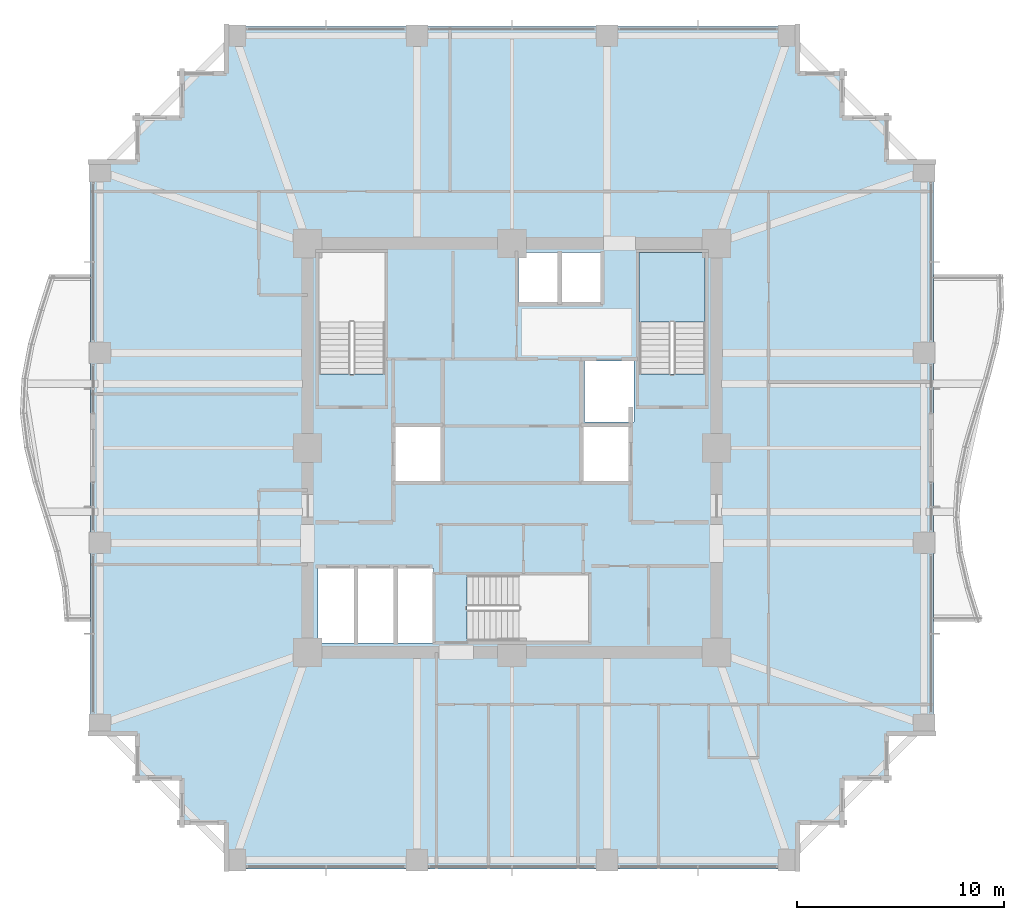
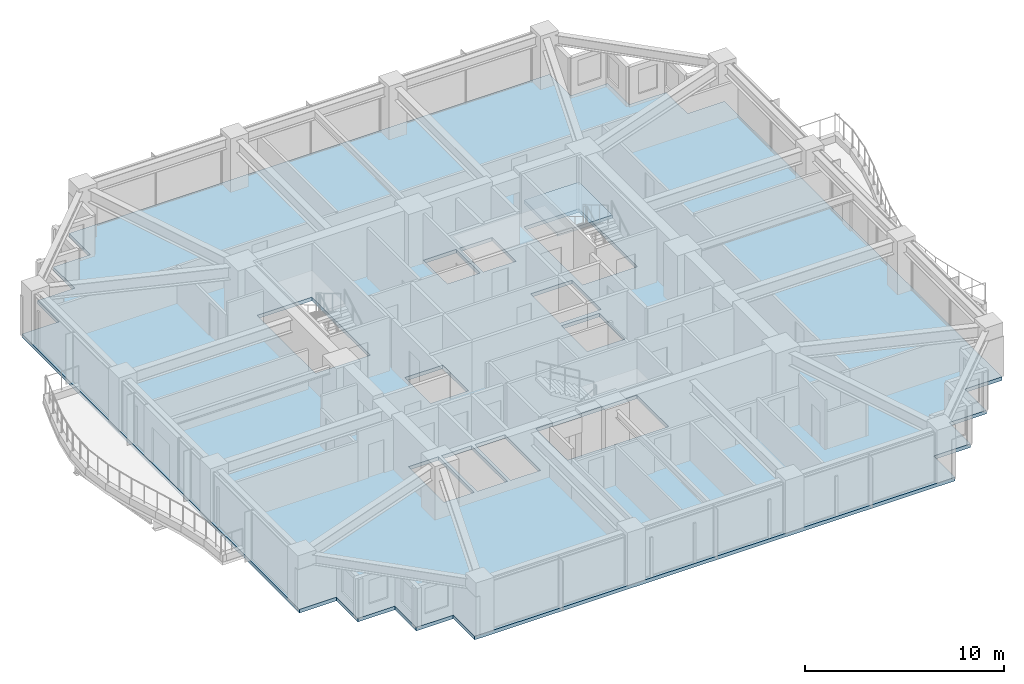
# One storey, part 27 of 36: 2 slabs, 1 element without a shape of its own.
"""IFC4 building model written with IfcOpenShell, lengths in metres."""

from ifc_helpers import new_model, si_unit, direction, frame, origin, place, context, subcontext, project, spatial, polyline, outline, extrude, material, layer, layer_set, type_object, element, aggregate, save


model = new_model("IFC4")

# Units and contexts
model_context = context("Model", 3, precision=1e-05, world=origin(), true_north=direction((0.0, 1.0)))
body_context = subcontext(model_context, "Body", "Model", "MODEL_VIEW")
ifc_project = project(units=[si_unit("LENGTHUNIT", "METRE"), si_unit("AREAUNIT", "SQUARE_METRE"), si_unit("VOLUMEUNIT", "CUBIC_METRE"), si_unit("PLANEANGLEUNIT", "RADIAN"), si_unit("MASSUNIT", "GRAM", prefix="KILO")], contexts=[model_context])

# Site, building, storey
site_placement = place(None, origin())
site = spatial("IfcSite", under=ifc_project, at=site_placement, CompositionType="ELEMENT")
building_placement = place(site_placement, origin())
building = spatial("IfcBuilding", under=site, at=building_placement, Name="Kolvaren Belvedere", CompositionType="ELEMENT")
storey_placement = place(building_placement, frame((0.0, 0.0, 95.300048828125)))
storey = spatial("IfcBuildingStorey", under=building, at=storey_placement, Name="L27", CompositionType="ELEMENT", Elevation=95.300048828125)

# Slab
ifc_material_1 = material(Name="Concrete C50/60", Category="concrete")
ifc_layer_1 = layer(ifc_material_1, 0.219970703125)
ifc_layer_set_1 = layer_set([ifc_layer_1], Name="Concrete C50/60")
slab_type_1 = type_object("IfcSlabType", Name="SL-FLR-220", PredefinedType="FLOOR", material=ifc_layer_set_1)
slab_1_placement = place(storey_placement, frame((0.0, 0.0, -0.219970703125)))
element("IfcSlab", 1, at=slab_1_placement, inside=storey, type_object=slab_type_1, Name="L27 Primary Structural Slab", PredefinedType="FLOOR", context=body_context, shape_type="SweptSolid", body=[
    extrude(outline(polyline([(-13.949951171875, -20.39990234375), (13.949951171875, -20.39990234375), (13.949951171875, -18.25), (16.10009765625, -18.25), (16.10009765625, -16.10009765625), (18.25, -16.10009765625), (18.25, -13.949951171875), (20.39990234375, -13.949951171875), (20.39990234375, 13.949951171875), (18.25, 13.949951171875), (18.25, 16.10009765625), (16.10009765625, 16.10009765625), (16.10009765625, 18.25), (13.949951171875, 18.25), (13.949951171875, 20.39990234375), (-13.949951171875, 20.39990234375), (-13.949951171875, 18.25), (-16.10009765625, 18.25), (-16.10009765625, 16.10009765625), (-18.25, 16.10009765625), (-18.25, 13.949951171875), (-20.39990234375, 13.949951171875), (-20.39990234375, -13.949951171875), (-18.25, -13.949951171875), (-18.25, -16.10009765625), (-16.10009765625, -16.10009765625), (-16.10009765625, -18.25), (-13.949951171875, -18.25), (-13.949951171875, -20.39990234375)]), holes=[polyline([(-9.35009765625, 3.580078125), (-6.159912109375, 3.580078125), (-6.159912109375, 9.449951171875), (-9.35009765625, 9.449951171875), (-9.35009765625, 3.580078125)]), polyline([(6.159912109375, 3.580078125), (9.35009765625, 3.580078125), (9.35009765625, 9.449951171875), (6.159912109375, 9.449951171875), (6.159912109375, 3.580078125)]), polyline([(-2.169921875, -9.35009765625), (3.699951171875, -9.35009765625), (3.699951171875, -6.159912109375), (-2.169921875, -6.159912109375), (-2.169921875, -9.35009765625)]), polyline([(-5.64990234375, -1.60009765625), (-3.449951171875, -1.60009765625), (-3.449951171875, 1.0), (-5.64990234375, 1.0), (-5.64990234375, -1.60009765625)]), polyline([(3.5, 1.25), (5.89990234375, 1.25), (5.89990234375, 4.199951171875), (3.5, 4.199951171875), (3.5, 1.25)]), polyline([(3.449951171875, -1.60009765625), (5.64990234375, -1.60009765625), (5.64990234375, 1.0), (3.449951171875, 1.0), (3.449951171875, -1.60009765625)]), polyline([(-9.39990234375, -9.449951171875), (-7.64990234375, -9.449951171875), (-7.64990234375, -5.85009765625), (-9.39990234375, -5.85009765625), (-9.39990234375, -9.449951171875)]), polyline([(-7.469970703125, -9.449951171875), (-5.719970703125, -9.449951171875), (-5.719970703125, -5.85009765625), (-7.469970703125, -5.85009765625), (-7.469970703125, -9.449951171875)]), polyline([(-5.5400390625, -9.449951171875), (-3.7900390625, -9.449951171875), (-3.7900390625, -5.85009765625), (-5.5400390625, -5.85009765625), (-5.5400390625, -9.449951171875)]), polyline([(0.320068359375, 7.050048828125), (2.219970703125, 7.050048828125), (2.219970703125, 9.449951171875), (0.320068359375, 9.449951171875), (0.320068359375, 7.050048828125)]), polyline([(2.39990234375, 7.050048828125), (4.300048828125, 7.050048828125), (4.300048828125, 9.449951171875), (2.39990234375, 9.449951171875), (2.39990234375, 7.050048828125)])]), origin(), (0.0, 0.0, 1.0), 0.219970703125),
])

# Stair, slab
ifc_material_2 = material(Name="Concrete C50/60", Category="concrete")
stair_type = type_object("IfcStairType", Name="ST-CORE-1520", PredefinedType="HALF_TURN_STAIR", material=ifc_material_2)
stair_placement = place(storey_placement, origin())
stair = element("IfcStair", 2, at=stair_placement, inside=storey, type_object=stair_type, Name="L27 Protected Exit Stair ST-2", PredefinedType="HALF_TURN_STAIR")
ifc_material_3 = material(Name="Concrete C50/60", Category="concrete")
ifc_layer_2 = layer(ifc_material_3, 0.260009765625)
ifc_layer_set_2 = layer_set([ifc_layer_2], Name="Concrete C50/60")
slab_type_2 = type_object("IfcSlabType", Name="SL-LAND-260", PredefinedType="LANDING", material=ifc_layer_set_2)
slab_2_placement = place(storey_placement, frame((0.0, 0.0, 1.449951171875)))
slab_2 = element("IfcSlab", 3, at=slab_2_placement, type_object=slab_type_2, Name="ST-2 landing 1", PredefinedType="LANDING", context=body_context, shape_type="SweptSolid", body=[
    extrude(outline(polyline([(9.35009765625, 6.090087890625), (9.35009765625, 9.449951171875), (6.159912109375, 9.449951171875), (6.159912109375, 6.090087890625), (9.35009765625, 6.090087890625)])), origin(), (0.0, 0.0, 1.0), 0.199951171875),
])
aggregate(stair, [slab_2])

save(model, "model.ifc")
